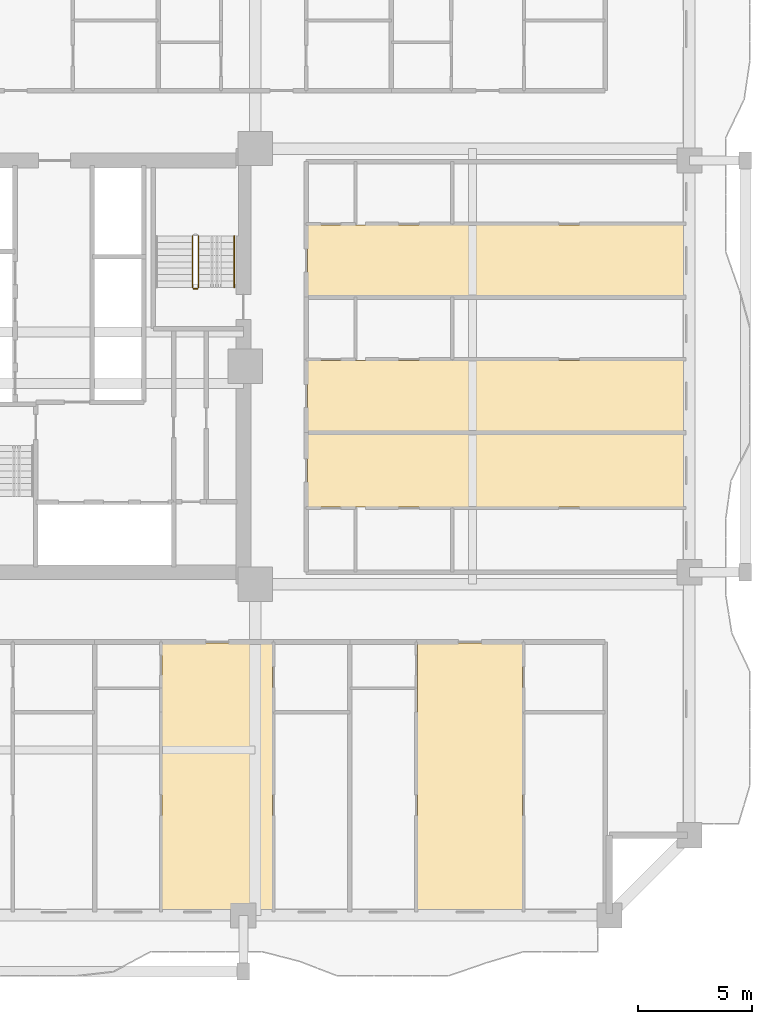
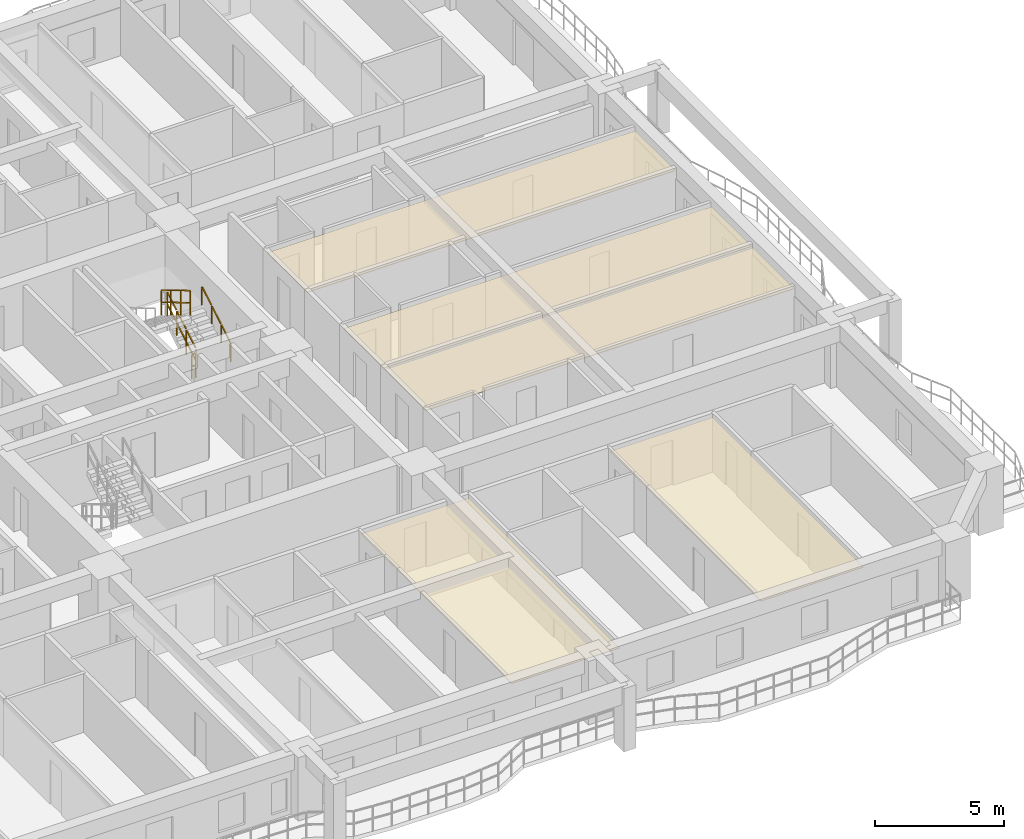
# One storey, part 15 of 18: 5 coverings, 4 railings.
"""IFC4 building model written with IfcOpenShell, lengths in metres."""

from ifc_helpers import new_model, si_unit, direction, frame, origin, origin_2d, place, context, subcontext, project, spatial, polyline, rectangle, outline, extrude, material, layer, layer_set, type_object, element, save


model = new_model("IFC4")

# Units and contexts
model_context = context("Model", 3, precision=1e-05, world=origin(), true_north=direction((0.0, 1.0)))
body_context = subcontext(model_context, "Body", "Model", "MODEL_VIEW")
ifc_project = project(units=[si_unit("LENGTHUNIT", "METRE"), si_unit("AREAUNIT", "SQUARE_METRE"), si_unit("VOLUMEUNIT", "CUBIC_METRE"), si_unit("PLANEANGLEUNIT", "RADIAN"), si_unit("MASSUNIT", "GRAM", prefix="KILO")], contexts=[model_context])

# Site, building, storey
site_placement = place(None, origin())
site = spatial("IfcSite", under=ifc_project, at=site_placement, CompositionType="ELEMENT")
building_placement = place(site_placement, origin())
building = spatial("IfcBuilding", under=site, at=building_placement, Name="Saelheon Loggia Tower", CompositionType="ELEMENT")
storey_placement = place(building_placement, frame((0.0, 0.0, 40.39990234375)))
storey = spatial("IfcBuildingStorey", under=building, at=storey_placement, Name="L12", CompositionType="ELEMENT", Elevation=40.39990234375)

# Coverings
ifc_material_1 = material(Name="Mineral-Fibre Acoustic Ceiling Board", Category="gypsum")
ifc_layer = layer(ifc_material_1, 0.02490234375)
ifc_layer_set = layer_set([ifc_layer], Name="Mineral-Fibre Acoustic Ceiling Board")
covering_type = type_object("IfcCoveringType", Name="Cov_Ceiling_Acoustic", PredefinedType="CEILING", material=ifc_layer_set)
covering_1_placement = place(storey_placement, frame((0.0, 0.0, 2.53515625)))
element("IfcCovering", 1, at=covering_1_placement, inside=storey, type_object=covering_type, Name="L12 Acoustic Suspended Ceiling", PredefinedType="CEILING", context=body_context, shape_type="SweptSolid", body=[
    extrude(outline(polyline([(40.95166015625, 3.199951171875), (45.77001953125, 3.199951171875), (45.77001953125, 14.89990234375), (40.95166015625, 14.89990234375), (40.95166015625, 3.199951171875)])), origin(), (0.0, 0.0, 1.0), 0.02490234375),
])
covering_2_placement = place(storey_placement, frame((0.0, 0.0, 2.53515625)))
element("IfcCovering", 2, at=covering_2_placement, inside=storey, type_object=covering_type, Name="L12 Acoustic Suspended Ceiling", PredefinedType="CEILING", context=body_context, shape_type="SweptSolid", body=[
    extrude(outline(polyline([(52.111572265625, 3.199951171875), (56.69873046875, 3.199951171875), (56.69873046875, 14.89990234375), (52.111572265625, 14.89990234375), (52.111572265625, 3.199951171875)])), origin(), (0.0, 0.0, 1.0), 0.02490234375),
])
covering_3_placement = place(storey_placement, frame((0.0, 0.0, 2.53515625)))
element("IfcCovering", 3, at=covering_3_placement, inside=storey, type_object=covering_type, Name="L12 Acoustic Suspended Ceiling", PredefinedType="CEILING", context=body_context, shape_type="SweptSolid", body=[
    extrude(outline(polyline([(47.300048828125, 20.857421875), (63.800048828125, 20.857421875), (63.800048828125, 24.052978515625), (47.300048828125, 24.052978515625), (47.300048828125, 20.857421875)])), origin(), (0.0, 0.0, 1.0), 0.02490234375),
])
covering_4_placement = place(storey_placement, frame((0.0, 0.0, 2.53515625)))
element("IfcCovering", 4, at=covering_4_placement, inside=storey, type_object=covering_type, Name="L12 Acoustic Suspended Ceiling", PredefinedType="CEILING", context=body_context, shape_type="SweptSolid", body=[
    extrude(outline(polyline([(47.300048828125, 24.153076171875), (63.800048828125, 24.153076171875), (63.800048828125, 27.251708984375), (47.300048828125, 27.251708984375), (47.300048828125, 24.153076171875)])), origin(), (0.0, 0.0, 1.0), 0.02490234375),
])
covering_5_placement = place(storey_placement, frame((0.0, 0.0, 2.53515625)))
element("IfcCovering", 5, at=covering_5_placement, inside=storey, type_object=covering_type, Name="L12 Acoustic Suspended Ceiling", PredefinedType="CEILING", context=body_context, shape_type="SweptSolid", body=[
    extrude(outline(polyline([(47.300048828125, 30.076416015625), (63.800048828125, 30.076416015625), (63.800048828125, 33.17529296875), (47.300048828125, 33.17529296875), (47.300048828125, 30.076416015625)])), origin(), (0.0, 0.0, 1.0), 0.02490234375),
])

# Railings
ifc_material_2 = material(Name="Galvanised Steel S275 Stairwell Guardrail", Category="steel")
railing_type_1 = type_object("IfcRailingType", Name="Guard_StairWell_RL_STG", PredefinedType="GUARDRAIL", material=ifc_material_2)
railing_1_placement = place(storey_placement, frame((42.5400390625, 30.449951171875, 0.166748046875)))
element("IfcRailing", 6, at=railing_1_placement, inside=storey, type_object=railing_type_1, Name="L12 ST2 stair guard 1", PredefinedType="GUARDRAIL", context=body_context, shape_type="SweptSolid", body=[
    extrude(rectangle(XDim=0.048095703125, YDim=0.048095703125, at=origin_2d()), frame((0.0, 0.028564453125, 1.19287109375), z_axis=(0.0, 0.859305625298, 0.511462454469), x_axis=(-1.0, 0.0, 0.0)), (0.0, 0.0, 1.0), 0.802490234375),
    extrude(rectangle(XDim=0.048095703125, YDim=0.048095703125, at=origin_2d()), frame((0.0, 0.028564453125, 0.616943359375), z_axis=(0.0, 0.859305625298, 0.511462454469), x_axis=(-1.0, 0.0, 0.0)), (0.0, 0.0, 1.0), 0.802490234375),
    extrude(rectangle(XDim=0.048095703125, YDim=0.048095703125, at=origin_2d()), frame((0.0, 0.775146484375, 1.63720703125), z_axis=(0.0, 0.859305625298, 0.511462454469), x_axis=(-1.0, 0.0, 0.0)), (0.0, 0.0, 1.0), 0.802490234375),
    extrude(rectangle(XDim=0.048095703125, YDim=0.048095703125, at=origin_2d()), frame((0.0, 0.775146484375, 1.061279296875), z_axis=(0.0, 0.859305625298, 0.511462454469), x_axis=(-1.0, 0.0, 0.0)), (0.0, 0.0, 1.0), 0.802490234375),
    extrude(rectangle(XDim=0.048095703125, YDim=0.048095703125, at=origin_2d()), frame((0.0, 1.52197265625, 2.081787109375), z_axis=(0.0, 0.859305625298, 0.511462454469), x_axis=(-1.0, 0.0, 0.0)), (0.0, 0.0, 1.0), 0.802490234375),
    extrude(rectangle(XDim=0.048095703125, YDim=0.048095703125, at=origin_2d()), frame((0.0, 1.52197265625, 1.505859375), z_axis=(0.0, 0.859305625298, 0.511462454469), x_axis=(-1.0, 0.0, 0.0)), (0.0, 0.0, 1.0), 0.802490234375),
    extrude(rectangle(XDim=0.0419921875, YDim=0.0419921875, at=origin_2d()), origin(), (0.0, 0.0, 1.0), 1.14794921875),
    extrude(rectangle(XDim=0.0419921875, YDim=0.0419921875, at=origin_2d()), frame((0.0, 0.74658203125, 0.4443359375)), (0.0, 0.0, 1.0), 1.14794921875),
    extrude(rectangle(XDim=0.0419921875, YDim=0.0419921875, at=origin_2d()), frame((0.0, 1.493408203125, 0.888916015625)), (0.0, 0.0, 1.0), 1.14794921875),
    extrude(rectangle(XDim=0.0419921875, YDim=0.0419921875, at=origin_2d()), frame((0.0, 2.239990234375, 1.333251953125)), (0.0, 0.0, 1.0), 1.14794921875),
])
railing_2_placement = place(storey_placement, frame((42.280029296875, 32.68994140625, 1.666748046875)))
element("IfcRailing", 7, at=railing_2_placement, inside=storey, type_object=railing_type_1, Name="L12 ST2 stair guard 3", PredefinedType="GUARDRAIL", context=body_context, shape_type="SweptSolid", body=[
    extrude(rectangle(XDim=0.048095703125, YDim=0.048095703125, at=origin_2d()), frame((0.0, -0.028564453125, 1.19287109375), z_axis=(0.0, -0.859305625298, 0.511462454469), x_axis=(1.0, 0.0, 0.0)), (0.0, 0.0, 1.0), 0.802490234375),
    extrude(rectangle(XDim=0.048095703125, YDim=0.048095703125, at=origin_2d()), frame((0.0, -0.028564453125, 0.616943359375), z_axis=(0.0, -0.859305625298, 0.511462454469), x_axis=(1.0, 0.0, 0.0)), (0.0, 0.0, 1.0), 0.802490234375),
    extrude(rectangle(XDim=0.048095703125, YDim=0.048095703125, at=origin_2d()), frame((0.0, -0.775146484375, 1.63720703125), z_axis=(0.0, -0.859305625298, 0.511462454469), x_axis=(1.0, 0.0, 0.0)), (0.0, 0.0, 1.0), 0.802490234375),
    extrude(rectangle(XDim=0.048095703125, YDim=0.048095703125, at=origin_2d()), frame((0.0, -0.775146484375, 1.061279296875), z_axis=(0.0, -0.859305625298, 0.511462454469), x_axis=(1.0, 0.0, 0.0)), (0.0, 0.0, 1.0), 0.802490234375),
    extrude(rectangle(XDim=0.048095703125, YDim=0.048095703125, at=origin_2d()), frame((0.0, -1.52197265625, 2.081787109375), z_axis=(0.0, -0.859305625298, 0.511462454469), x_axis=(1.0, 0.0, 0.0)), (0.0, 0.0, 1.0), 0.802490234375),
    extrude(rectangle(XDim=0.048095703125, YDim=0.048095703125, at=origin_2d()), frame((0.0, -1.52197265625, 1.505859375), z_axis=(0.0, -0.859305625298, 0.511462454469), x_axis=(1.0, 0.0, 0.0)), (0.0, 0.0, 1.0), 0.802490234375),
    extrude(rectangle(XDim=0.0419921875, YDim=0.0419921875, at=origin_2d()), origin(), (0.0, 0.0, 1.0), 1.14794921875),
    extrude(rectangle(XDim=0.0419921875, YDim=0.0419921875, at=origin_2d()), frame((0.0, -0.74658203125, 0.4443359375)), (0.0, 0.0, 1.0), 1.14794921875),
    extrude(rectangle(XDim=0.0419921875, YDim=0.0419921875, at=origin_2d()), frame((0.0, -1.493408203125, 0.888916015625)), (0.0, 0.0, 1.0), 1.14794921875),
    extrude(rectangle(XDim=0.0419921875, YDim=0.0419921875, at=origin_2d()), frame((0.0, -2.239990234375, 1.333251953125)), (0.0, 0.0, 1.0), 1.14794921875),
])
railing_3_placement = place(storey_placement, frame((42.489990234375, 30.39990234375, 0.0)))
element("IfcRailing", 8, at=railing_3_placement, inside=storey, type_object=railing_type_1, Name="L12 ST2 stair guard 4", PredefinedType="GUARDRAIL", context=body_context, shape_type="SweptSolid", body=[
    extrude(rectangle(XDim=0.048095703125, YDim=0.048095703125, at=origin_2d()), frame((-0.033203125, 0.0, 1.17578125), z_axis=(-1.0, 0.0, 0.0), x_axis=(0.0, -1.0, 0.0)), (0.0, 0.0, 1.0), 0.093505859375),
    extrude(rectangle(XDim=0.048095703125, YDim=0.048095703125, at=origin_2d()), frame((-0.033203125, 0.0, 0.60009765625), z_axis=(-1.0, 0.0, 0.0), x_axis=(0.0, -1.0, 0.0)), (0.0, 0.0, 1.0), 0.093505859375),
    extrude(rectangle(XDim=0.0419921875, YDim=0.0419921875, at=origin_2d()), origin(), (0.0, 0.0, 1.0), 1.14794921875),
    extrude(rectangle(XDim=0.0419921875, YDim=0.0419921875, at=origin_2d()), frame((-0.159912109375, 0.0, 0.0)), (0.0, 0.0, 1.0), 1.14794921875),
])
ifc_material_3 = material(Name="Stainless Steel 304 Tubular Handrail", Category="steel")
railing_type_2 = type_object("IfcRailingType", Name="Handrail_Stair_RL_HR1", PredefinedType="HANDRAIL", material=ifc_material_3)
railing_4_placement = place(storey_placement, frame((44.10009765625, 30.449951171875, 0.166748046875)))
element("IfcRailing", 9, at=railing_4_placement, inside=storey, type_object=railing_type_2, Name="L12 ST2 stair handrail 1", PredefinedType="HANDRAIL", context=body_context, shape_type="SweptSolid", body=[
    extrude(rectangle(XDim=0.048095703125, YDim=0.048095703125, at=origin_2d()), frame((0.0, 0.028564453125, 0.892822265625), z_axis=(0.0, 0.859305625298, 0.511462454469), x_axis=(-1.0, 0.0, 0.0)), (0.0, 0.0, 1.0), 0.802490234375),
    extrude(rectangle(XDim=0.048095703125, YDim=0.048095703125, at=origin_2d()), frame((0.0, 0.775146484375, 1.337158203125), z_axis=(0.0, 0.859305625298, 0.511462454469), x_axis=(-1.0, 0.0, 0.0)), (0.0, 0.0, 1.0), 0.802490234375),
    extrude(rectangle(XDim=0.048095703125, YDim=0.048095703125, at=origin_2d()), frame((0.0, 1.52197265625, 1.78173828125), z_axis=(0.0, 0.859305625298, 0.511462454469), x_axis=(-1.0, 0.0, 0.0)), (0.0, 0.0, 1.0), 0.802490234375),
    extrude(rectangle(XDim=0.0419921875, YDim=0.0419921875, at=origin_2d()), origin(), (0.0, 0.0, 1.0), 0.847900390625),
    extrude(rectangle(XDim=0.0419921875, YDim=0.0419921875, at=origin_2d()), frame((0.0, 0.74658203125, 0.4443359375)), (0.0, 0.0, 1.0), 0.847900390625),
    extrude(rectangle(XDim=0.0419921875, YDim=0.0419921875, at=origin_2d()), frame((0.0, 1.493408203125, 0.888916015625)), (0.0, 0.0, 1.0), 0.847900390625),
    extrude(rectangle(XDim=0.0419921875, YDim=0.0419921875, at=origin_2d()), frame((0.0, 2.239990234375, 1.333251953125)), (0.0, 0.0, 1.0), 0.847900390625),
])

save(model, "model.ifc")
